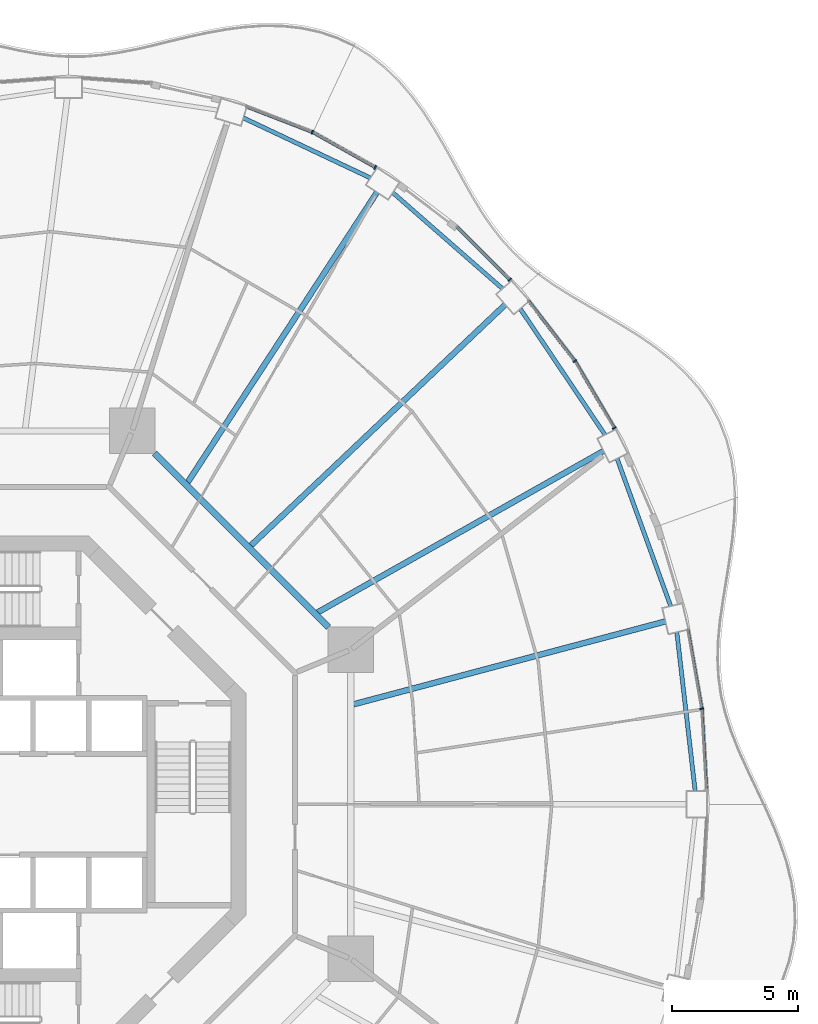
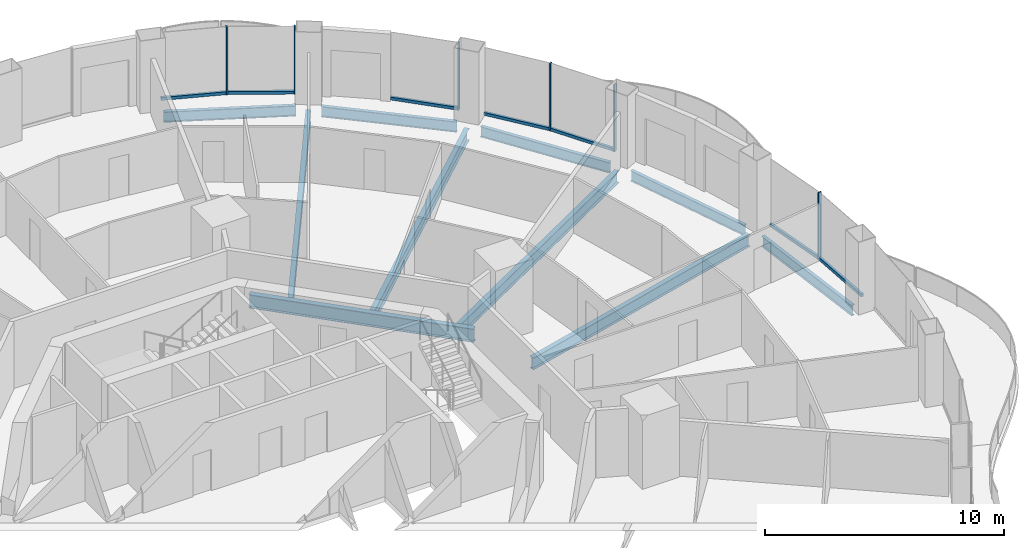
# One storey, part 8 of 19: 13 members, 10 beams, 7 elements without a shape of their own.
"""IFC4 building model written with IfcOpenShell, lengths in metres."""

from ifc_helpers import new_model, si_unit, direction, frame, origin, origin_2d, place, context, subcontext, project, spatial, rectangle, i_section, extrude, material, layer, layer_set, material_profile, profile_set, type_object, element, aggregate, save


model = new_model("IFC4")

# Units and contexts
model_context = context("Model", 3, precision=1e-05, world=origin(), true_north=direction((0.0, 1.0)))
body_context = subcontext(model_context, "Body", "Model", "MODEL_VIEW")
ifc_project = project(units=[si_unit("LENGTHUNIT", "METRE"), si_unit("AREAUNIT", "SQUARE_METRE"), si_unit("VOLUMEUNIT", "CUBIC_METRE"), si_unit("PLANEANGLEUNIT", "RADIAN"), si_unit("MASSUNIT", "GRAM", prefix="KILO")], contexts=[model_context])

# Site, building, storey
site_placement = place(None, origin())
site = spatial("IfcSite", under=ifc_project, at=site_placement, CompositionType="ELEMENT")
building_placement = place(site_placement, origin())
building = spatial("IfcBuilding", under=site, at=building_placement, Name="Nagisa Residences", CompositionType="ELEMENT")
storey_placement = place(building_placement, frame((0.0, 0.0, 177.0)))
storey = spatial("IfcBuildingStorey", under=building, at=storey_placement, Name="L44", CompositionType="ELEMENT", Elevation=177.0)

# Curtain wall, member
ifc_material_1 = material(Name="Concrete-coloured aluminium curtain wall system", Category="concrete")
ifc_layer = layer(ifc_material_1, 0.159912109375)
ifc_layer_set = layer_set([ifc_layer], Name="CW1 CURTAIN WALL")
curtain_wall_type = type_object("IfcCurtainWallType", Name="CW1 CURTAIN WALL", PredefinedType="NOTDEFINED", material=ifc_layer_set)
curtain_wall_1_placement = place(storey_placement, origin())
curtain_wall_1 = element("IfcCurtainWall", 1, at=curtain_wall_1_placement, inside=storey, type_object=curtain_wall_type, Name="cw:CW1:L44:01", PredefinedType="NOTDEFINED")
ifc_material_2 = material(Name="Concrete-coloured aluminium", Category="concrete")
ifc_material_profile_1 = material_profile(ifc_material_2, rectangle(XDim=0.159912109375, YDim=0.06005859375, at=origin_2d()), Name="CW1 MULLION 160x60")
ifc_profile_set_1 = profile_set([ifc_material_profile_1], Name="Concrete-coloured aluminium")
member_type_1 = type_object("IfcMemberType", Name="CW1 MULLION 160x60", PredefinedType="MULLION", material=ifc_profile_set_1)
member_1_placement = place(storey_placement, frame((28.673828125, 3.78466796875, 0.0), z_axis=(0.0, 0.0, 1.0), x_axis=(-0.985063604377, -0.172190868898, 0.0)))
member_1 = element("IfcMember", 2, at=member_1_placement, type_object=member_type_1, Name="CW1 mullion", PredefinedType="MULLION", context=body_context, shape_type="SweptSolid", body=[
    extrude(rectangle(XDim=0.159912109375, YDim=0.06005859375, at=origin_2d()), origin(), (0.0, 0.0, 1.0), 3.43994140625),
])

curtain_wall_2_placement = place(storey_placement, origin())
curtain_wall_2 = element("IfcCurtainWall", 3, at=curtain_wall_2_placement, inside=storey, type_object=curtain_wall_type, Name="cw:CW1:L44:04", PredefinedType="NOTDEFINED")
member_2_placement = place(storey_placement, frame((25.212646484375, 14.897216796875, 0.0), z_axis=(0.0, 0.0, 1.0), x_axis=(-0.862328898214, -0.506348567002, 0.0)))
member_2 = element("IfcMember", 4, at=member_2_placement, type_object=member_type_1, Name="CW1 mullion", PredefinedType="MULLION", context=body_context, shape_type="SweptSolid", body=[
    extrude(rectangle(XDim=0.159912109375, YDim=0.06005859375, at=origin_2d()), origin(), (0.0, 0.0, 1.0), 3.43994140625),
])

curtain_wall_3_placement = place(storey_placement, origin())
curtain_wall_3 = element("IfcCurtainWall", 5, at=curtain_wall_3_placement, inside=storey, type_object=curtain_wall_type, Name="cw:CW1:L44:05", PredefinedType="NOTDEFINED")
member_3_placement = place(storey_placement, frame((23.649658203125, 17.552978515625, 0.0), z_axis=(0.0, 0.0, 1.0), x_axis=(-0.792070340816, -0.610429828235, 0.0)))
member_3 = element("IfcMember", 6, at=member_3_placement, type_object=member_type_1, Name="CW1 mullion", PredefinedType="MULLION", context=body_context, shape_type="SweptSolid", body=[
    extrude(rectangle(XDim=0.159912109375, YDim=0.06005859375, at=origin_2d()), origin(), (0.0, 0.0, 1.0), 3.43994140625),
])

curtain_wall_4_placement = place(storey_placement, origin())
curtain_wall_4 = element("IfcCurtainWall", 7, at=curtain_wall_4_placement, inside=storey, type_object=curtain_wall_type, Name="cw:CW1:L44:06", PredefinedType="NOTDEFINED")
member_4_placement = place(storey_placement, frame((21.07568359375, 20.770751953125, 0.0), z_axis=(0.0, 0.0, 1.0), x_axis=(-0.706376885714, -0.707835924016, 0.0)))
member_4 = element("IfcMember", 8, at=member_4_placement, type_object=member_type_1, Name="CW1 mullion", PredefinedType="MULLION", context=body_context, shape_type="SweptSolid", body=[
    extrude(rectangle(XDim=0.159912109375, YDim=0.06005859375, at=origin_2d()), origin(), (0.0, 0.0, 1.0), 3.43994140625),
])

curtain_wall_5_placement = place(storey_placement, origin())
curtain_wall_5 = element("IfcCurtainWall", 9, at=curtain_wall_5_placement, inside=storey, type_object=curtain_wall_type, Name="cw:CW1:L44:08", PredefinedType="NOTDEFINED")
member_5_placement = place(storey_placement, frame((15.742431640625, 25.220458984375, 0.0), z_axis=(0.0, 0.0, 1.0), x_axis=(-0.489376918501, -0.872072377523, 0.0)))
member_5 = element("IfcMember", 10, at=member_5_placement, type_object=member_type_1, Name="CW1 mullion", PredefinedType="MULLION", context=body_context, shape_type="SweptSolid", body=[
    extrude(rectangle(XDim=0.159912109375, YDim=0.06005859375, at=origin_2d()), origin(), (0.0, 0.0, 1.0), 3.43994140625),
])

curtain_wall_6_placement = place(storey_placement, origin())
curtain_wall_6 = element("IfcCurtainWall", 11, at=curtain_wall_6_placement, inside=storey, type_object=curtain_wall_type, Name="cw:CW1:L44:09", PredefinedType="NOTDEFINED")
member_6_placement = place(storey_placement, frame((13.253662109375, 26.61328125, 0.0), z_axis=(0.0, 0.0, 1.0), x_axis=(-0.360327770268, -0.932825759707, 0.0)))
member_6 = element("IfcMember", 12, at=member_6_placement, type_object=member_type_1, Name="CW1 mullion", PredefinedType="MULLION", context=body_context, shape_type="SweptSolid", body=[
    extrude(rectangle(XDim=0.159912109375, YDim=0.06005859375, at=origin_2d()), origin(), (0.0, 0.0, 1.0), 3.43994140625),
])

curtain_wall_7_placement = place(storey_placement, origin())
curtain_wall_7 = element("IfcCurtainWall", 13, at=curtain_wall_7_placement, inside=storey, type_object=curtain_wall_type, Name="cw:CW1:L44:00", PredefinedType="NOTDEFINED")
ifc_material_3 = material(Name="Concrete-coloured aluminium", Category="concrete")
ifc_material_profile_2 = material_profile(ifc_material_3, rectangle(XDim=0.1201171875, YDim=0.14990234375, at=origin_2d()), Name="CW1 TRANSOM 120x150")
ifc_profile_set_2 = profile_set([ifc_material_profile_2], Name="Concrete-coloured aluminium")
member_type_2 = type_object("IfcMemberType", Name="CW1 TRANSOM 120x150", PredefinedType="USERDEFINED", material=ifc_profile_set_2)
member_7_placement = place(storey_placement, frame((28.863525390625, 0.54443359375, 0.074951171875), z_axis=(-0.057528345118, 0.998343873376, 0.0), x_axis=(-0.998343873376, -0.057528345118, 0.0)))
member_7 = element("IfcMember", 14, at=member_7_placement, type_object=member_type_2, Name="CW1 transom", ObjectType="TRANSOM", PredefinedType="USERDEFINED", context=body_context, shape_type="SweptSolid", body=[
    extrude(rectangle(XDim=0.1201171875, YDim=0.14990234375, at=origin_2d()), origin(), (0.0, 0.0, 1.0), 3.225341796875),
])
aggregate(curtain_wall_7, [member_7])

# Member
member_8_placement = place(storey_placement, frame((28.67919921875, 3.755126953125, 0.074951171875), z_axis=(-0.172236453102, 0.98505563509, 0.0), x_axis=(-0.98505563509, -0.172236453102, 0.0)))
member_8 = element("IfcMember", 15, at=member_8_placement, type_object=member_type_2, Name="CW1 transom", ObjectType="TRANSOM", PredefinedType="USERDEFINED", context=body_context, shape_type="SweptSolid", body=[
    extrude(rectangle(XDim=0.1201171875, YDim=0.14990234375, at=origin_2d()), origin(), (0.0, 0.0, 1.0), 3.210693359375),
])

aggregate(curtain_wall_1, [member_1, member_8])

member_9_placement = place(storey_placement, frame((25.22802734375, 14.871337890625, 0.074951171875), z_axis=(-0.506367803691, 0.862317602386, 0.0), x_axis=(-0.862317602386, -0.506367803691, 0.0)))
member_9 = element("IfcMember", 16, at=member_9_placement, type_object=member_type_2, Name="CW1 transom", ObjectType="TRANSOM", PredefinedType="USERDEFINED", context=body_context, shape_type="SweptSolid", body=[
    extrude(rectangle(XDim=0.1201171875, YDim=0.14990234375, at=origin_2d()), origin(), (0.0, 0.0, 1.0), 3.092041015625),
])

aggregate(curtain_wall_2, [member_2, member_9])

member_10_placement = place(storey_placement, frame((23.66796875, 17.529052734375, 0.074951171875), z_axis=(-0.610398538814, 0.792094453846, 0.0), x_axis=(-0.792094453846, -0.610398538814, 0.0)))
member_10 = element("IfcMember", 17, at=member_10_placement, type_object=member_type_2, Name="CW1 transom", ObjectType="TRANSOM", PredefinedType="USERDEFINED", context=body_context, shape_type="SweptSolid", body=[
    extrude(rectangle(XDim=0.1201171875, YDim=0.14990234375, at=origin_2d()), origin(), (0.0, 0.0, 1.0), 3.035400390625),
])

aggregate(curtain_wall_3, [member_3, member_10])

member_11_placement = place(storey_placement, frame((21.096923828125, 20.74951171875, 0.074951171875), z_axis=(-0.707803821372, 0.706409053206, 0.0), x_axis=(-0.706409053206, -0.707803821372, 0.0)))
member_11 = element("IfcMember", 18, at=member_11_placement, type_object=member_type_2, Name="CW1 transom", ObjectType="TRANSOM", PredefinedType="USERDEFINED", context=body_context, shape_type="SweptSolid", body=[
    extrude(rectangle(XDim=0.1201171875, YDim=0.14990234375, at=origin_2d()), origin(), (0.0, 0.0, 1.0), 2.9755859375),
])

aggregate(curtain_wall_4, [member_4, member_11])

member_12_placement = place(storey_placement, frame((15.768798828125, 25.205810546875, 0.074951171875), z_axis=(-0.872078262455, 0.489366431371, 0.0), x_axis=(-0.489366431371, -0.872078262455, 0.0)))
member_12 = element("IfcMember", 19, at=member_12_placement, type_object=member_type_2, Name="CW1 transom", ObjectType="TRANSOM", PredefinedType="USERDEFINED", context=body_context, shape_type="SweptSolid", body=[
    extrude(rectangle(XDim=0.1201171875, YDim=0.14990234375, at=origin_2d()), origin(), (0.0, 0.0, 1.0), 2.863525390625),
])

aggregate(curtain_wall_5, [member_5, member_12])

member_13_placement = place(storey_placement, frame((13.28173828125, 26.602294921875, 0.074951171875), z_axis=(-0.932795487898, 0.360406128911, 0.0), x_axis=(-0.360406128911, -0.932795487898, 0.0)))
member_13 = element("IfcMember", 20, at=member_13_placement, type_object=member_type_2, Name="CW1 transom", ObjectType="TRANSOM", PredefinedType="USERDEFINED", context=body_context, shape_type="SweptSolid", body=[
    extrude(rectangle(XDim=0.1201171875, YDim=0.14990234375, at=origin_2d()), origin(), (0.0, 0.0, 1.0), 2.8193359375),
])

aggregate(curtain_wall_6, [member_6, member_13])

# Beams
ifc_material_4 = material(Name="Steel ASTM A572 Gr 50", Category="steel")
ifc_material_profile_3 = material_profile(ifc_material_4, i_section(OverallWidth=0.25390625, OverallDepth=0.68408203125, WebThickness=0.012451171875, FlangeThickness=0.018798828125, at=origin_2d()), Name="W690x140")
ifc_profile_set_3 = profile_set([ifc_material_profile_3], Name="Steel ASTM A572 Gr 50")
beam_type_1 = type_object("IfcBeamType", Name="Inner ring beam W690x140", PredefinedType="BEAM", material=ifc_profile_set_3)
beam_1_placement = place(storey_placement, frame((13.896240234375, 7.0087890625, -0.60205078125), z_axis=(-0.707106781187, 0.707106781187, 0.0), x_axis=(-0.707106781187, -0.707106781187, 0.0)))
element("IfcBeam", 21, at=beam_1_placement, inside=storey, type_object=beam_type_1, Name="beam:L44:ib1", PredefinedType="BEAM", context=body_context, shape_type="SweptSolid", body=[
    extrude(i_section(OverallWidth=0.25390625, OverallDepth=0.68408203125, WebThickness=0.012451171875, FlangeThickness=0.018798828125, at=origin_2d()), origin(), (0.0, 0.0, 1.0), 9.740234375),
])
ifc_material_5 = material(Name="Steel ASTM A572 Gr 50", Category="steel")
ifc_material_profile_4 = material_profile(ifc_material_5, i_section(OverallWidth=0.166015625, OverallDepth=0.534912109375, WebThickness=0.01025390625, FlangeThickness=0.0166015625, at=origin_2d()), Name="W530x85")
ifc_profile_set_4 = profile_set([ifc_material_profile_4], Name="Steel ASTM A572 Gr 50")
beam_type_2 = type_object("IfcBeamType", Name="Perimeter ring beam W530x85", PredefinedType="BEAM", material=ifc_profile_set_4)
beam_2_placement = place(storey_placement, frame((28.413818359375, 0.530029296875, -0.527587890625), z_axis=(-0.11463289794, 0.993407921606, 0.0), x_axis=(-0.993407921606, -0.11463289794, 0.0)))
element("IfcBeam", 22, at=beam_2_placement, inside=storey, type_object=beam_type_2, Name="beam:L44:pb01", PredefinedType="BEAM", context=body_context, shape_type="SweptSolid", body=[
    extrude(i_section(OverallWidth=0.166015625, OverallDepth=0.534912109375, WebThickness=0.01025390625, FlangeThickness=0.0166015625, at=origin_2d()), origin(), (0.0, 0.0, 1.0), 6.325439453125),
])
beam_3_placement = place(storey_placement, frame((27.4453125, 7.845703125, -0.527587890625), z_axis=(-0.341320243926, 0.939947068237, 0.0), x_axis=(-0.939947068237, -0.341320243926, 0.0)))
element("IfcBeam", 23, at=beam_3_placement, inside=storey, type_object=beam_type_2, Name="beam:L44:pb02", PredefinedType="BEAM", context=body_context, shape_type="SweptSolid", body=[
    extrude(i_section(OverallWidth=0.166015625, OverallDepth=0.534912109375, WebThickness=0.01025390625, FlangeThickness=0.0166015625, at=origin_2d()), origin(), (0.0, 0.0, 1.0), 6.212890625),
])
beam_4_placement = place(storey_placement, frame((24.84423828125, 14.630615234375, -0.527587890625), z_axis=(-0.558152301307, 0.829738518177, 0.0), x_axis=(-0.829738518177, -0.558152301307, 0.0)))
element("IfcBeam", 24, at=beam_4_placement, inside=storey, type_object=beam_type_2, Name="beam:L44:pb03", PredefinedType="BEAM", context=body_context, shape_type="SweptSolid", body=[
    extrude(i_section(OverallWidth=0.166015625, OverallDepth=0.534912109375, WebThickness=0.01025390625, FlangeThickness=0.0166015625, at=origin_2d()), origin(), (0.0, 0.0, 1.0), 6.013916015625),
])
beam_5_placement = place(storey_placement, frame((20.786865234375, 20.416259765625, -0.527587890625), z_axis=(-0.752461486776, 0.658636250838, 0.0), x_axis=(-0.658636250838, -0.752461486776, 0.0)))
element("IfcBeam", 25, at=beam_5_placement, inside=storey, type_object=beam_type_2, Name="beam:L44:pb04", PredefinedType="BEAM", context=body_context, shape_type="SweptSolid", body=[
    extrude(i_section(OverallWidth=0.166015625, OverallDepth=0.534912109375, WebThickness=0.01025390625, FlangeThickness=0.0166015625, at=origin_2d()), origin(), (0.0, 0.0, 1.0), 5.776611328125),
])
beam_6_placement = place(storey_placement, frame((15.553466796875, 24.80224609375, -0.527587890625), z_axis=(-0.904157325884, 0.427199637232, 0.0), x_axis=(-0.427199637232, -0.904157325884, 0.0)))
element("IfcBeam", 26, at=beam_6_placement, inside=storey, type_object=beam_type_2, Name="beam:L44:pb05", PredefinedType="BEAM", context=body_context, shape_type="SweptSolid", body=[
    extrude(i_section(OverallWidth=0.166015625, OverallDepth=0.534912109375, WebThickness=0.01025390625, FlangeThickness=0.0166015625, at=origin_2d()), origin(), (0.0, 0.0, 1.0), 5.56396484375),
])
ifc_material_6 = material(Name="Steel ASTM A572 Gr 50", Category="steel")
ifc_material_profile_5 = material_profile(ifc_material_6, i_section(OverallWidth=0.22802734375, OverallDepth=0.60302734375, WebThickness=0.010498046875, FlangeThickness=0.014892578125, at=origin_2d()), Name="W610x101")
ifc_profile_set_5 = profile_set([ifc_material_profile_5], Name="Steel ASTM A572 Gr 50")
beam_type_3 = type_object("IfcBeamType", Name="Radial beam W610x101", PredefinedType="BEAM", material=ifc_profile_set_5)
beam_7_placement = place(storey_placement, frame((27.23583984375, 7.239990234375, -0.5615234375), z_axis=(-0.966436061719, -0.256907256826, 0.0), x_axis=(0.256907256826, -0.966436061719, 0.0)))
element("IfcBeam", 27, at=beam_7_placement, inside=storey, type_object=beam_type_3, Name="beam:L44:rb02", PredefinedType="BEAM", context=body_context, shape_type="SweptSolid", body=[
    extrude(i_section(OverallWidth=0.22802734375, OverallDepth=0.60302734375, WebThickness=0.010498046875, FlangeThickness=0.014892578125, at=origin_2d()), origin(), (0.0, 0.0, 1.0), 12.77490234375),
])
beam_8_placement = place(storey_placement, frame((24.789306640625, 13.98828125, -0.5615234375), z_axis=(-0.870904520395, -0.491452252366, 0.0), x_axis=(0.491452252366, -0.870904520395, 0.0)))
element("IfcBeam", 28, at=beam_8_placement, inside=storey, type_object=beam_type_3, Name="beam:L44:rb03", PredefinedType="BEAM", context=body_context, shape_type="SweptSolid", body=[
    extrude(i_section(OverallWidth=0.22802734375, OverallDepth=0.60302734375, WebThickness=0.010498046875, FlangeThickness=0.014892578125, at=origin_2d()), origin(), (0.0, 0.0, 1.0), 13.007080078125),
])
beam_9_placement = place(storey_placement, frame((20.89501953125, 19.785400390625, -0.5615234375), z_axis=(-0.726119962477, -0.687568033064, 0.0), x_axis=(0.687568033064, -0.726119962477, 0.0)))
element("IfcBeam", 29, at=beam_9_placement, inside=storey, type_object=beam_type_3, Name="beam:L44:rb04", PredefinedType="BEAM", context=body_context, shape_type="SweptSolid", body=[
    extrude(i_section(OverallWidth=0.22802734375, OverallDepth=0.60302734375, WebThickness=0.010498046875, FlangeThickness=0.014892578125, at=origin_2d()), origin(), (0.0, 0.0, 1.0), 13.88134765625),
])
beam_10_placement = place(storey_placement, frame((15.816162109375, 24.234375, -0.5615234375), z_axis=(-0.546541244511, -0.837432187135, 0.0), x_axis=(0.837432187135, -0.546541244511, 0.0)))
element("IfcBeam", 30, at=beam_10_placement, inside=storey, type_object=beam_type_3, Name="beam:L44:rb05", PredefinedType="BEAM", context=body_context, shape_type="SweptSolid", body=[
    extrude(i_section(OverallWidth=0.22802734375, OverallDepth=0.60302734375, WebThickness=0.010498046875, FlangeThickness=0.014892578125, at=origin_2d()), origin(), (0.0, 0.0, 1.0), 13.72412109375),
])

save(model, "model.ifc")
